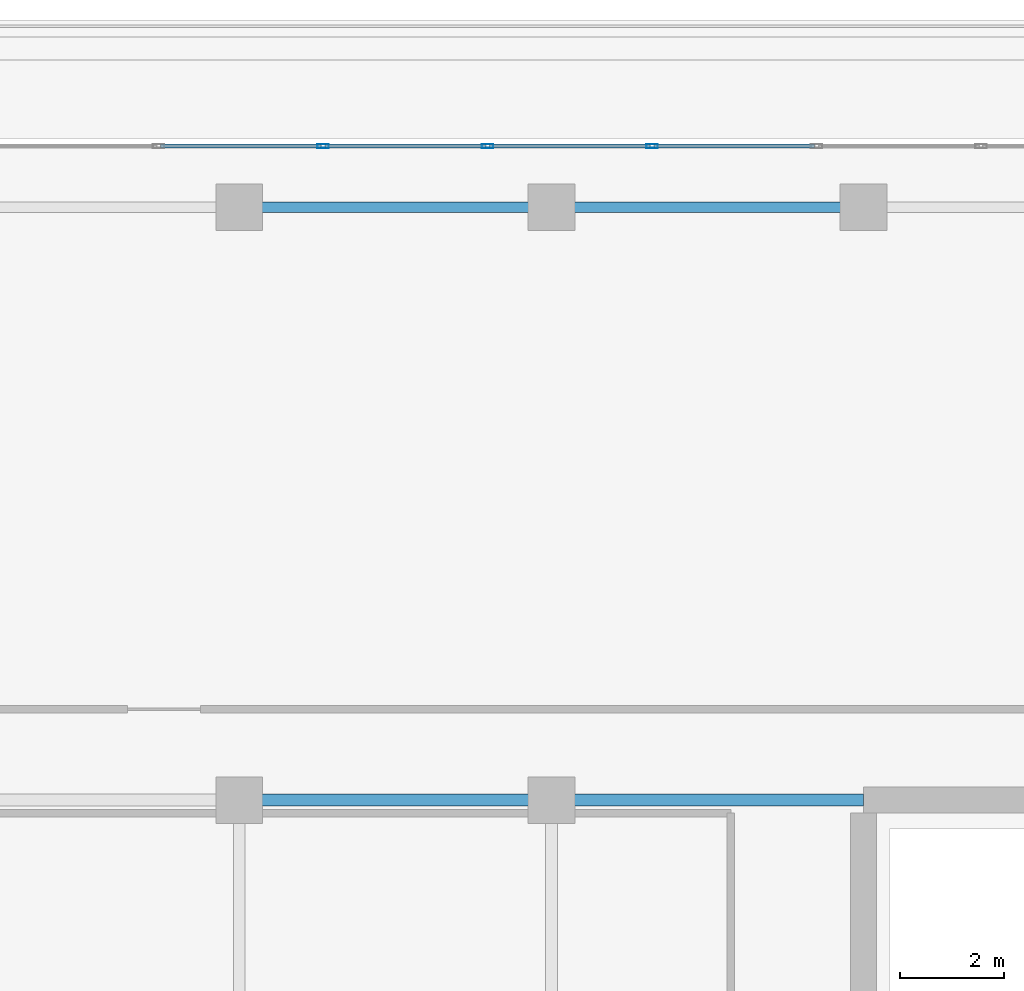
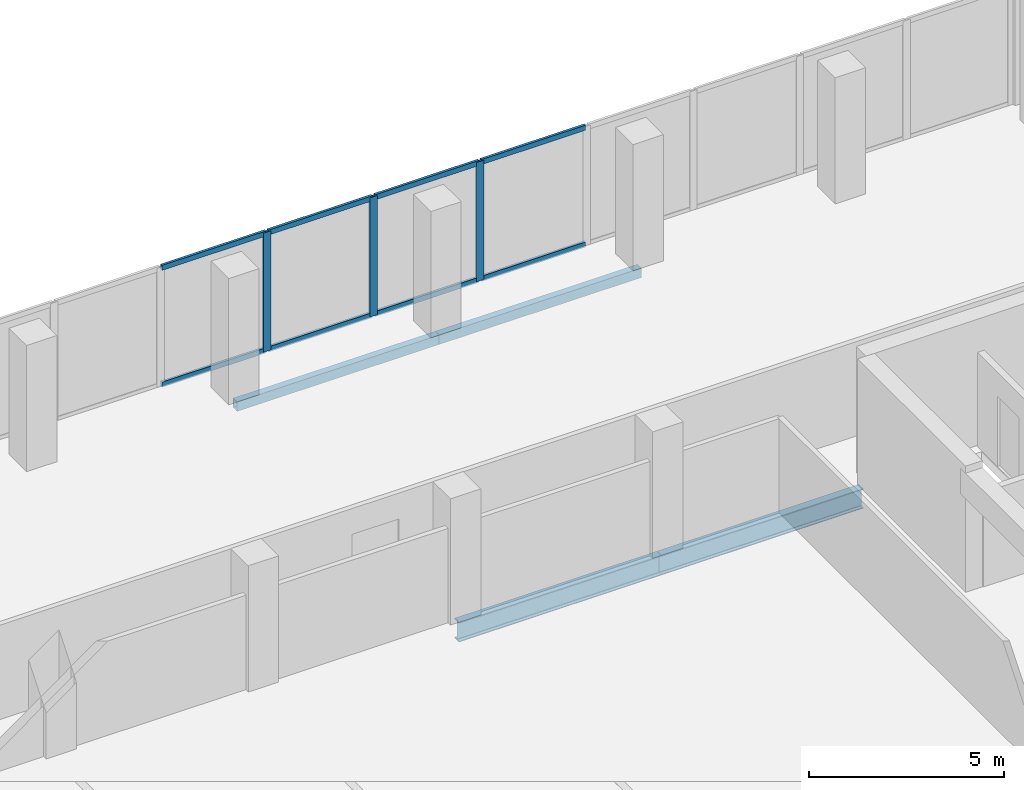
# One storey, part 13 of 30: 11 members, 4 beams, 1 element without a shape of its own.
"""IFC4 building model written with IfcOpenShell, lengths in metres."""

from ifc_helpers import new_model, si_unit, direction, frame, origin, origin_2d, place, context, subcontext, project, spatial, hollow_rectangle, i_section, extrude, material, layer, layer_set, material_profile, profile_set, type_object, element, aggregate, save


model = new_model("IFC4")

# Units and contexts
model_context = context("Model", 3, precision=1e-05, world=origin(), true_north=direction((0.0, 1.0)))
body_context = subcontext(model_context, "Body", "Model", "MODEL_VIEW")
ifc_project = project(units=[si_unit("LENGTHUNIT", "METRE"), si_unit("AREAUNIT", "SQUARE_METRE"), si_unit("VOLUMEUNIT", "CUBIC_METRE"), si_unit("PLANEANGLEUNIT", "RADIAN"), si_unit("MASSUNIT", "GRAM", prefix="KILO")], contexts=[model_context])

# Site, building, storey
site_placement = place(None, origin())
site = spatial("IfcSite", under=ifc_project, at=site_placement, CompositionType="ELEMENT")
building_placement = place(site_placement, origin())
building = spatial("IfcBuilding", under=site, at=building_placement, Name="Tanjung Sevakor Pilgrim Tower", CompositionType="ELEMENT")
storey_placement = place(building_placement, frame((0.0, 0.0, 128.0400390625)))
storey = spatial("IfcBuildingStorey", under=building, at=storey_placement, Name="L35", CompositionType="ELEMENT", Elevation=128.0400390625)

# Beams
ifc_material_1 = material(Name="Steel S355J2", Category="steel")
ifc_material_profile_1 = material_profile(ifc_material_1, i_section(OverallWidth=0.230224609375, OverallDepth=0.6171875, WebThickness=0.01318359375, FlangeThickness=0.022216796875, FilletRadius=0.0126953125, at=origin_2d()))
ifc_profile_set_1 = profile_set([ifc_material_profile_1], Name="Steel S355J2")
beam_type_1 = type_object("IfcBeamType", Name="BM-B-G3-UB_610x229x140", PredefinedType="BEAM", material=ifc_profile_set_1)
for number, where, z_axis, x_axis, name in (
    (1, (66.0, 42.60009765625, -0.588623046875), (1.0, 0.0, 0.0), (0.0, 1.0, 0.0), "L35 Primary Floor Girder MAIN Y426-06"),
    (2, (72.0, 42.60009765625, -0.588623046875), (1.0, 0.0, 0.0), (0.0, 1.0, 0.0), "L35 Primary Floor Girder MAIN Y426-07"),
):
    element("IfcBeam", number, at=place(storey_placement, frame(where, z_axis=z_axis, x_axis=x_axis)), inside=storey, type_object=beam_type_1, Name=name, PredefinedType="BEAM", context=body_context, shape_type="SweptSolid", body=[
        extrude(i_section(OverallWidth=0.230224609375, OverallDepth=0.6171875, WebThickness=0.01318359375, FlangeThickness=0.022216796875, FilletRadius=0.0126953125, at=origin_2d()), origin(), (0.0, 0.0, 1.0), 6.0),
    ])
ifc_material_2 = material(Name="Steel S355J2", Category="steel")
ifc_material_profile_2 = material_profile(ifc_material_2, hollow_rectangle(XDim=0.199951171875, YDim=0.300048828125, WallThickness=0.012451171875, at=origin_2d()))
ifc_profile_set_2 = profile_set([ifc_material_profile_2], Name="Steel S355J2")
beam_type_2 = type_object("IfcBeamType", Name="BM-B-SP3-RHS_300x200x12.5", PredefinedType="SPANDREL", material=ifc_profile_set_2)
for number, where, z_axis, x_axis, name in (
    (3, (66.0, 54.0, -0.429931640625), (1.0, 0.0, 0.0), (0.0, 1.0, 0.0), "L35 Spandrel MAIN N-12"),
    (4, (72.0, 54.0, -0.429931640625), (1.0, 0.0, 0.0), (0.0, 1.0, 0.0), "L35 Spandrel MAIN N-14"),
):
    element("IfcBeam", number, at=place(storey_placement, frame(where, z_axis=z_axis, x_axis=x_axis)), inside=storey, type_object=beam_type_2, Name=name, PredefinedType="SPANDREL", context=body_context, shape_type="SweptSolid", body=[
        extrude(hollow_rectangle(XDim=0.199951171875, YDim=0.300048828125, WallThickness=0.012451171875, at=origin_2d()), origin(), (0.0, 0.0, 1.0), 6.0),
    ])

# Curtain wall, members
ifc_material_3 = material(Name="Aluminium 6063-T6 and Low-E Glass", Category="aluminium")
ifc_layer = layer(ifc_material_3, 0.199951171875)
ifc_layer_set = layer_set([ifc_layer], Name="CW-SYS-SKY")
curtain_wall_type = type_object("IfcCurtainWallType", Name="CW-SYS-SKY", PredefinedType="NOTDEFINED", material=ifc_layer_set)
curtain_wall_placement = place(storey_placement, origin())
curtain_wall = element("IfcCurtainWall", 5, at=curtain_wall_placement, inside=storey, type_object=curtain_wall_type, Name="L35 Curtain Wall CW-SKY-L35-N", PredefinedType="NOTDEFINED")
ifc_material_4 = material(Name="Aluminium 6063-T6", Category="aluminium")
ifc_material_profile_3 = material_profile(ifc_material_4, hollow_rectangle(XDim=0.074951171875, YDim=0.219970703125, WallThickness=0.0048828125, at=origin_2d()))
ifc_profile_set_3 = profile_set([ifc_material_profile_3], Name="Aluminium 6063-T6")
member_type_1 = type_object("IfcMemberType", Name="TYPE-CWM-2", PredefinedType="MULLION", material=ifc_profile_set_3)
member_1_placement = place(storey_placement, frame((73.9365234375, 55.175048828125, 0.0), z_axis=(0.0, 0.0, 1.0), x_axis=(0.0, -1.0, 0.0)))
member_1 = element("IfcMember", 6, at=member_1_placement, type_object=member_type_1, Name="CW-SKY mullion 6", PredefinedType="MULLION", context=body_context, shape_type="SweptSolid", body=[
    extrude(hollow_rectangle(XDim=0.074951171875, YDim=0.219970703125, WallThickness=0.0048828125, at=origin_2d()), origin(), (0.0, 0.0, 1.0), 3.739990234375),
])
member_2_placement = place(storey_placement, frame((70.774169921875, 55.175048828125, 0.0), z_axis=(0.0, 0.0, 1.0), x_axis=(0.0, -1.0, 0.0)))
member_2 = element("IfcMember", 7, at=member_2_placement, type_object=member_type_1, Name="CW-SKY mullion 7", PredefinedType="MULLION", context=body_context, shape_type="SweptSolid", body=[
    extrude(hollow_rectangle(XDim=0.074951171875, YDim=0.219970703125, WallThickness=0.0048828125, at=origin_2d()), origin(), (0.0, 0.0, 1.0), 3.739990234375),
])
member_3_placement = place(storey_placement, frame((67.612060546875, 55.175048828125, 0.0), z_axis=(0.0, 0.0, 1.0), x_axis=(0.0, -1.0, 0.0)))
member_3 = element("IfcMember", 8, at=member_3_placement, type_object=member_type_1, Name="CW-SKY mullion 8", PredefinedType="MULLION", context=body_context, shape_type="SweptSolid", body=[
    extrude(hollow_rectangle(XDim=0.074951171875, YDim=0.219970703125, WallThickness=0.0048828125, at=origin_2d()), origin(), (0.0, 0.0, 1.0), 3.739990234375),
])
ifc_material_5 = material(Name="Aluminium 6063-T6", Category="aluminium")
ifc_material_profile_4 = material_profile(ifc_material_5, hollow_rectangle(XDim=0.074951171875, YDim=0.159912109375, WallThickness=0.00439453125, at=origin_2d()))
ifc_profile_set_4 = profile_set([ifc_material_profile_4], Name="Aluminium 6063-T6")
member_type_2 = type_object("IfcMemberType", Name="TYPE-CWT-2", PredefinedType="USERDEFINED", material=ifc_profile_set_4)
member_4_placement = place(storey_placement, frame((77.0615234375, 55.175048828125, 0.037353515625), z_axis=(-1.0, 0.0, 0.0), x_axis=(0.0, -1.0, 0.0)))
member_4 = element("IfcMember", 9, at=member_4_placement, type_object=member_type_2, Name="CW-SKY transom 5.1", ObjectType="TRANSOM", PredefinedType="USERDEFINED", context=body_context, shape_type="SweptSolid", body=[
    extrude(hollow_rectangle(XDim=0.074951171875, YDim=0.159912109375, WallThickness=0.00439453125, at=origin_2d()), origin(), (0.0, 0.0, 1.0), 3.08740234375),
])
member_5_placement = place(storey_placement, frame((77.0615234375, 55.175048828125, 3.702392578125), z_axis=(-1.0, 0.0, 0.0), x_axis=(0.0, -1.0, 0.0)))
member_5 = element("IfcMember", 10, at=member_5_placement, type_object=member_type_2, Name="CW-SKY transom 5.2", ObjectType="TRANSOM", PredefinedType="USERDEFINED", context=body_context, shape_type="SweptSolid", body=[
    extrude(hollow_rectangle(XDim=0.074951171875, YDim=0.159912109375, WallThickness=0.00439453125, at=origin_2d()), origin(), (0.0, 0.0, 1.0), 3.08740234375),
])
member_6_placement = place(storey_placement, frame((73.899169921875, 55.175048828125, 0.037353515625), z_axis=(-1.0, 0.0, 0.0), x_axis=(0.0, -1.0, 0.0)))
member_6 = element("IfcMember", 11, at=member_6_placement, type_object=member_type_2, Name="CW-SKY transom 6.1", ObjectType="TRANSOM", PredefinedType="USERDEFINED", context=body_context, shape_type="SweptSolid", body=[
    extrude(hollow_rectangle(XDim=0.074951171875, YDim=0.159912109375, WallThickness=0.00439453125, at=origin_2d()), origin(), (0.0, 0.0, 1.0), 3.08740234375),
])
member_7_placement = place(storey_placement, frame((73.899169921875, 55.175048828125, 3.702392578125), z_axis=(-1.0, 0.0, 0.0), x_axis=(0.0, -1.0, 0.0)))
member_7 = element("IfcMember", 12, at=member_7_placement, type_object=member_type_2, Name="CW-SKY transom 6.2", ObjectType="TRANSOM", PredefinedType="USERDEFINED", context=body_context, shape_type="SweptSolid", body=[
    extrude(hollow_rectangle(XDim=0.074951171875, YDim=0.159912109375, WallThickness=0.00439453125, at=origin_2d()), origin(), (0.0, 0.0, 1.0), 3.08740234375),
])
member_8_placement = place(storey_placement, frame((70.73681640625, 55.175048828125, 0.037353515625), z_axis=(-1.0, 0.0, 0.0), x_axis=(0.0, -1.0, 0.0)))
member_8 = element("IfcMember", 13, at=member_8_placement, type_object=member_type_2, Name="CW-SKY transom 7.1", ObjectType="TRANSOM", PredefinedType="USERDEFINED", context=body_context, shape_type="SweptSolid", body=[
    extrude(hollow_rectangle(XDim=0.074951171875, YDim=0.159912109375, WallThickness=0.00439453125, at=origin_2d()), origin(), (0.0, 0.0, 1.0), 3.08740234375),
])
member_9_placement = place(storey_placement, frame((70.73681640625, 55.175048828125, 3.702392578125), z_axis=(-1.0, 0.0, 0.0), x_axis=(0.0, -1.0, 0.0)))
member_9 = element("IfcMember", 14, at=member_9_placement, type_object=member_type_2, Name="CW-SKY transom 7.2", ObjectType="TRANSOM", PredefinedType="USERDEFINED", context=body_context, shape_type="SweptSolid", body=[
    extrude(hollow_rectangle(XDim=0.074951171875, YDim=0.159912109375, WallThickness=0.00439453125, at=origin_2d()), origin(), (0.0, 0.0, 1.0), 3.08740234375),
])
member_10_placement = place(storey_placement, frame((67.574462890625, 55.175048828125, 0.037353515625), z_axis=(-1.0, 0.0, 0.0), x_axis=(0.0, -1.0, 0.0)))
member_10 = element("IfcMember", 15, at=member_10_placement, type_object=member_type_2, Name="CW-SKY transom 8.1", ObjectType="TRANSOM", PredefinedType="USERDEFINED", context=body_context, shape_type="SweptSolid", body=[
    extrude(hollow_rectangle(XDim=0.074951171875, YDim=0.159912109375, WallThickness=0.00439453125, at=origin_2d()), origin(), (0.0, 0.0, 1.0), 3.08740234375),
])
member_11_placement = place(storey_placement, frame((67.574462890625, 55.175048828125, 3.702392578125), z_axis=(-1.0, 0.0, 0.0), x_axis=(0.0, -1.0, 0.0)))
member_11 = element("IfcMember", 16, at=member_11_placement, type_object=member_type_2, Name="CW-SKY transom 8.2", ObjectType="TRANSOM", PredefinedType="USERDEFINED", context=body_context, shape_type="SweptSolid", body=[
    extrude(hollow_rectangle(XDim=0.074951171875, YDim=0.159912109375, WallThickness=0.00439453125, at=origin_2d()), origin(), (0.0, 0.0, 1.0), 3.08740234375),
])
aggregate(curtain_wall, [member_1, member_2, member_3, member_4, member_5, member_6, member_7, member_8, member_9, member_10, member_11])

save(model, "model.ifc")
